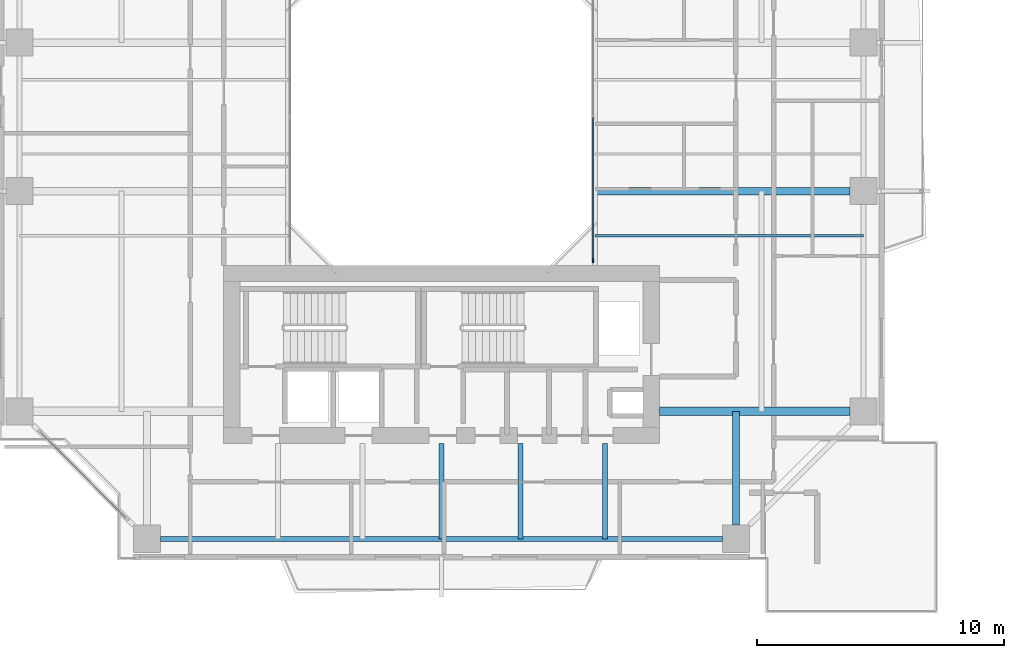
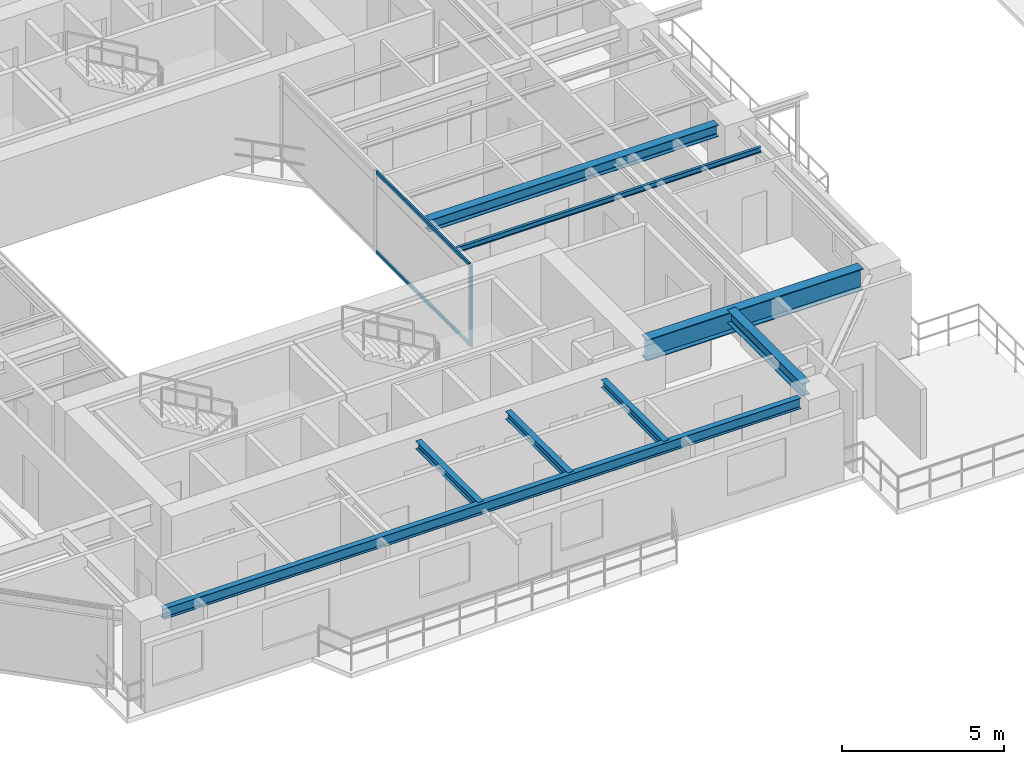
# One storey, part 7 of 28: 8 beams, 3 members, 1 element without a shape of its own.
"""IFC4 building model written with IfcOpenShell, lengths in metres."""

from ifc_helpers import new_model, si_unit, direction, frame, origin, origin_2d, place, context, subcontext, project, spatial, rectangle, i_section, extrude, source, transform, mapped, material, layer, layer_set, material_profile, profile_set, type_object, element, aggregate, save


model = new_model("IFC4")

# Units and contexts
model_context = context("Model", 3, precision=1e-05, world=origin(), true_north=direction((0.0, 1.0)))
body_context = subcontext(model_context, "Body", "Model", "MODEL_VIEW")
ifc_project = project(units=[si_unit("LENGTHUNIT", "METRE"), si_unit("AREAUNIT", "SQUARE_METRE"), si_unit("VOLUMEUNIT", "CUBIC_METRE"), si_unit("PLANEANGLEUNIT", "RADIAN"), si_unit("MASSUNIT", "GRAM", prefix="KILO"), si_unit("THERMODYNAMICTEMPERATUREUNIT", "KELVIN"), si_unit("POWERUNIT", "WATT")], contexts=[model_context])

# Site, building, storey
site_placement = place(None, origin())
site = spatial("IfcSite", under=ifc_project, at=site_placement, CompositionType="ELEMENT")
building_placement = place(site_placement, origin())
building = spatial("IfcBuilding", under=site, at=building_placement, Name="Qiaomeng Ring Towers", CompositionType="ELEMENT")
storey_placement = place(building_placement, frame((0.0, 0.0, 113.25)))
storey = spatial("IfcBuildingStorey", under=building, at=storey_placement, Name="L32", CompositionType="ELEMENT", Elevation=113.25)

# Beams
ifc_material_1 = material(Name="Steel Q355B", Category="steel")
ifc_material_profile_1 = material_profile(ifc_material_1, i_section(OverallWidth=0.199951171875, OverallDepth=0.39990234375, WebThickness=0.008056640625, FlangeThickness=0.012939453125, FilletRadius=0.01611328125, at=origin_2d()), Name="HN 400x200x8x13")
ifc_profile_set_1 = profile_set([ifc_material_profile_1], Name="Steel Q355B")
beam_type_1 = type_object("IfcBeamType", Name="STR-BM-HN400", PredefinedType="SPANDREL", material=ifc_profile_set_1)
shared_shape_1 = source(origin(), body_context, "Body", "SweptSolid", [
    extrude(i_section(OverallWidth=0.199951171875, OverallDepth=0.39990234375, WebThickness=0.008056640625, FlangeThickness=0.012939453125, FilletRadius=0.01611328125, at=origin_2d()), origin(), (0.0, 0.0, 1.0), 22.7021484375),
])
beam_1_placement = place(storey_placement, frame((7.64892578125, 5.949951171875, 2.8701171875), z_axis=(1.0, 0.0, 0.0), x_axis=(0.0, 1.0, 0.0)))
element("IfcBeam", 1, at=beam_1_placement, inside=storey, type_object=beam_type_1, Name="L32 beam STR-SP-L32-T1-S1-S2", PredefinedType="SPANDREL", context=body_context, shape_type="MappedRepresentation", body=[
    mapped(shared_shape_1, transform((0.0, 0.0, 0.0), x_axis=(1.0, 0.0, 0.0), y_axis=(0.0, 1.0, 0.0), z_axis=(0.0, 0.0, 1.0), scale=1.0)),
])
ifc_material_2 = material(Name="Steel Q390GJC", Category="steel")
ifc_material_profile_2 = material_profile(ifc_material_2, i_section(OverallWidth=0.35009765625, OverallDepth=0.800048828125, WebThickness=0.01611328125, FlangeThickness=0.028076171875, at=origin_2d()), Name="WH 800x350x16x28")
ifc_profile_set_2 = profile_set([ifc_material_profile_2], Name="Steel Q390GJC")
beam_type_2 = type_object("IfcBeamType", Name="STR-BM-WH800", PredefinedType="BEAM", material=ifc_profile_set_2)
shared_shape_2 = source(origin(), body_context, "Body", "SweptSolid", [
    extrude(i_section(OverallWidth=0.35009765625, OverallDepth=0.800048828125, WebThickness=0.01611328125, FlangeThickness=0.028076171875, at=origin_2d()), origin(), (0.0, 0.0, 1.0), 7.700927734375),
])
beam_2_placement = place(storey_placement, frame((27.800048828125, 11.10009765625, 2.669921875), z_axis=(1.0, 0.0, 0.0), x_axis=(0.0, 1.0, 0.0)))
element("IfcBeam", 2, at=beam_2_placement, inside=storey, type_object=beam_type_2, Name="L32 beam STR-BM-L32-T1-RAD-E1", PredefinedType="BEAM", context=body_context, shape_type="MappedRepresentation", body=[
    mapped(shared_shape_2, transform((0.0, 0.0, 0.0), x_axis=(1.0, 0.0, 0.0), y_axis=(0.0, 1.0, 0.0), z_axis=(0.0, 0.0, 1.0), scale=1.0)),
])
ifc_material_profile_3 = material_profile(ifc_material_1, i_section(OverallWidth=0.300048828125, OverallDepth=0.488037109375, WebThickness=0.010986328125, FlangeThickness=0.01806640625, FilletRadius=0.02587890625, at=origin_2d()), Name="HM 488x300x11x18")
ifc_profile_set_3 = profile_set([ifc_material_profile_3], Name="Steel Q355B")
beam_type_3 = type_object("IfcBeamType", Name="STR-BM-HM488", PredefinedType="BEAM", material=ifc_profile_set_3)
shared_shape_3 = source(origin(), body_context, "Body", "SweptSolid", [
    extrude(i_section(OverallWidth=0.300048828125, OverallDepth=0.488037109375, WebThickness=0.010986328125, FlangeThickness=0.01806640625, FilletRadius=0.02587890625, at=origin_2d()), origin(), (0.0, 0.0, 1.0), 4.60107421875),
])
beam_3_placement = place(storey_placement, frame((30.89990234375, 6.4990234375, 2.825927734375), z_axis=(0.0, 1.0, 0.0), x_axis=(-1.0, 0.0, 0.0)))
element("IfcBeam", 3, at=beam_3_placement, inside=storey, type_object=beam_type_3, Name="L32 beam STR-BM-L32-T1-RAD-S2", PredefinedType="BEAM", context=body_context, shape_type="MappedRepresentation", body=[
    mapped(shared_shape_3, transform((0.0, 0.0, 0.0), x_axis=(1.0, 0.0, 0.0), y_axis=(0.0, 1.0, 0.0), z_axis=(0.0, 0.0, 1.0), scale=1.0)),
])
ifc_material_profile_4 = material_profile(ifc_material_1, i_section(OverallWidth=0.300048828125, OverallDepth=0.43994140625, WebThickness=0.010986328125, FlangeThickness=0.01806640625, FilletRadius=0.02392578125, at=origin_2d()), Name="HM 440x300x11x18")
ifc_profile_set_4 = profile_set([ifc_material_profile_4], Name="Steel Q355B")
beam_type_4 = type_object("IfcBeamType", Name="STR-BM-HM440", PredefinedType="BEAM", material=ifc_profile_set_4)
shared_shape_4 = source(origin(), body_context, "Body", "SweptSolid", [
    extrude(i_section(OverallWidth=0.300048828125, OverallDepth=0.43994140625, WebThickness=0.010986328125, FlangeThickness=0.01806640625, FilletRadius=0.02392578125, at=origin_2d()), origin(), (0.0, 0.0, 1.0), 10.301025390625),
])
beam_4_placement = place(storey_placement, frame((25.199951171875, 20.0, 2.85009765625), z_axis=(1.0, 0.0, 0.0), x_axis=(0.0, 1.0, 0.0)))
element("IfcBeam", 4, at=beam_4_placement, inside=storey, type_object=beam_type_4, Name="L32 beam STR-BM-L32-T1-RAD-E2", PredefinedType="BEAM", context=body_context, shape_type="MappedRepresentation", body=[
    mapped(shared_shape_4, transform((0.0, 0.0, 0.0), x_axis=(1.0, 0.0, 0.0), y_axis=(0.0, 1.0, 0.0), z_axis=(0.0, 0.0, 1.0), scale=1.0)),
])
ifc_material_profile_5 = material_profile(ifc_material_1, i_section(OverallWidth=0.199951171875, OverallDepth=0.2939453125, WebThickness=0.008056640625, FlangeThickness=0.011962890625, FilletRadius=0.01806640625, at=origin_2d()), Name="HM 294x200x8x12")
ifc_profile_set_5 = profile_set([ifc_material_profile_5], Name="Steel Q355B")
beam_type_5 = type_object("IfcBeamType", Name="STR-BM-HM294", PredefinedType="JOIST", material=ifc_profile_set_5)
shared_shape_5 = source(origin(), body_context, "Body", "SweptSolid", [
    extrude(i_section(OverallWidth=0.199951171875, OverallDepth=0.2939453125, WebThickness=0.008056640625, FlangeThickness=0.011962890625, FilletRadius=0.01806640625, at=origin_2d()), origin(), (0.0, 0.0, 1.0), 3.85009765625),
])
for number, where, z_axis, x_axis, name in (
    (5, (19.0, 5.949951171875, 2.923095703125), (0.0, 1.0, 0.0), (-1.0, 0.0, 0.0), "L32 beam STR-JST-L32-T1S-3"),
    (6, (22.199951171875, 5.949951171875, 2.923095703125), (0.0, 1.0, 0.0), (-1.0, 0.0, 0.0), "L32 beam STR-JST-L32-T1S-4"),
    (7, (25.60009765625, 5.949951171875, 2.923095703125), (0.0, 1.0, 0.0), (-1.0, 0.0, 0.0), "L32 beam STR-JST-L32-T1S-5"),
):
    element("IfcBeam", number, at=place(storey_placement, frame(where, z_axis=z_axis, x_axis=x_axis)), inside=storey, type_object=beam_type_5, Name=name, PredefinedType="JOIST", context=body_context, shape_type="MappedRepresentation", body=[
        mapped(shared_shape_5, transform((0.0, 0.0, 0.0), x_axis=(1.0, 0.0, 0.0), y_axis=(0.0, 1.0, 0.0), z_axis=(0.0, 0.0, 1.0), scale=1.0)),
    ])
ifc_material_profile_6 = material_profile(ifc_material_1, i_section(OverallWidth=0.10009765625, OverallDepth=0.199951171875, WebThickness=0.005615234375, FlangeThickness=0.008056640625, FilletRadius=0.010986328125, at=origin_2d()), Name="HN 200x100x5.5x8")
ifc_profile_set_6 = profile_set([ifc_material_profile_6], Name="Steel Q355B")
beam_type_6 = type_object("IfcBeamType", Name="STR-BM-HN200", PredefinedType="JOIST", material=ifc_profile_set_6)
shared_shape_6 = source(origin(), body_context, "Body", "SweptSolid", [
    extrude(i_section(OverallWidth=0.10009765625, OverallDepth=0.199951171875, WebThickness=0.005615234375, FlangeThickness=0.008056640625, FilletRadius=0.010986328125, at=origin_2d()), origin(), (0.0, 0.0, 1.0), 10.85009765625),
])
beam_5_placement = place(storey_placement, frame((25.199951171875, 18.199951171875, 2.969970703125), z_axis=(1.0, 0.0, 0.0), x_axis=(0.0, 1.0, 0.0)))
element("IfcBeam", 8, at=beam_5_placement, inside=storey, type_object=beam_type_6, Name="L32 beam STR-JST-L32-T1E-1", PredefinedType="JOIST", context=body_context, shape_type="MappedRepresentation", body=[
    mapped(shared_shape_6, transform((0.0, 0.0, 0.0), x_axis=(1.0, 0.0, 0.0), y_axis=(0.0, 1.0, 0.0), z_axis=(0.0, 0.0, 1.0), scale=1.0)),
])

# Curtain wall, members
ifc_material_3 = material(Name="Fluorocarbon dark-grey aluminium", Category="aluminium")
ifc_layer = layer(ifc_material_3, 0.139892578125, Name="Fluorocarbon dark-grey aluminium")
ifc_layer_set = layer_set([ifc_layer], Name="Fluorocarbon dark-grey aluminium")
curtain_wall_type = type_object("IfcCurtainWallType", Name="ARC-CW-4", PredefinedType="NOTDEFINED", material=ifc_layer_set)
curtain_wall_placement = place(storey_placement, origin())
curtain_wall = element("IfcCurtainWall", 9, at=curtain_wall_placement, inside=storey, type_object=curtain_wall_type, Name="L32 Curtain Wall CW4", PredefinedType="NOTDEFINED")
ifc_material_profile_7 = material_profile(ifc_material_3, rectangle(XDim=0.06494140625, YDim=0.159912109375, at=origin_2d()), Name="ALU MULL 65x160")
ifc_profile_set_7 = profile_set([ifc_material_profile_7], Name="Fluorocarbon dark-grey aluminium")
member_type_1 = type_object("IfcMemberType", Name="ARC-CWM-140", PredefinedType="MULLION", material=ifc_profile_set_7)
shared_shape_7 = source(origin(), body_context, "Body", "SweptSolid", [
    extrude(rectangle(XDim=0.06494140625, YDim=0.159912109375, at=origin_2d()), origin(), (0.0, 0.0, 1.0), 3.070068359375),
])
member_1_placement = place(storey_placement, frame((25.1201171875, 17.1826171875, 0.0), z_axis=(0.0, 0.0, 1.0), x_axis=(-1.0, 0.0, 0.0)))
member_1 = element("IfcMember", 10, at=member_1_placement, type_object=member_type_1, Name="CW4 mullion 1", PredefinedType="MULLION", context=body_context, shape_type="MappedRepresentation", body=[
    mapped(shared_shape_7, transform((0.0, 0.0, 0.0), x_axis=(1.0, 0.0, 0.0), y_axis=(0.0, 1.0, 0.0), z_axis=(0.0, 0.0, 1.0), scale=1.0)),
])
ifc_material_profile_8 = material_profile(ifc_material_3, rectangle(XDim=0.06494140625, YDim=0.1298828125, at=origin_2d()), Name="ALU TRAN 65x130")
ifc_profile_set_8 = profile_set([ifc_material_profile_8], Name="Fluorocarbon dark-grey aluminium")
member_type_2 = type_object("IfcMemberType", Name="ARC-CWT-120", PredefinedType="USERDEFINED", material=ifc_profile_set_8)
shared_shape_8 = source(origin(), body_context, "Body", "SweptSolid", [
    extrude(rectangle(XDim=0.06494140625, YDim=0.1298828125, at=origin_2d()), origin(), (0.0, 0.0, 1.0), 5.75244140625),
])
member_2_placement = place(storey_placement, frame((25.1201171875, 17.215087890625, 0.032470703125), z_axis=(0.0, 1.0, 0.0), x_axis=(-1.0, 0.0, 0.0)))
member_2 = element("IfcMember", 11, at=member_2_placement, type_object=member_type_2, Name="CW4 transom 1.1", ObjectType="TRANSOM", PredefinedType="USERDEFINED", context=body_context, shape_type="MappedRepresentation", body=[
    mapped(shared_shape_8, transform((0.0, 0.0, 0.0), x_axis=(1.0, 0.0, 0.0), y_axis=(0.0, 1.0, 0.0), z_axis=(0.0, 0.0, 1.0), scale=1.0)),
])
member_3_placement = place(storey_placement, frame((25.1201171875, 17.215087890625, 3.03759765625), z_axis=(0.0, 1.0, 0.0), x_axis=(-1.0, 0.0, 0.0)))
member_3 = element("IfcMember", 12, at=member_3_placement, type_object=member_type_2, Name="CW4 transom 1.2", ObjectType="TRANSOM", PredefinedType="USERDEFINED", context=body_context, shape_type="MappedRepresentation", body=[
    mapped(shared_shape_8, transform((0.0, 0.0, 0.0), x_axis=(1.0, 0.0, 0.0), y_axis=(0.0, 1.0, 0.0), z_axis=(0.0, 0.0, 1.0), scale=1.0)),
])
aggregate(curtain_wall, [member_1, member_2, member_3])

save(model, "model.ifc")
